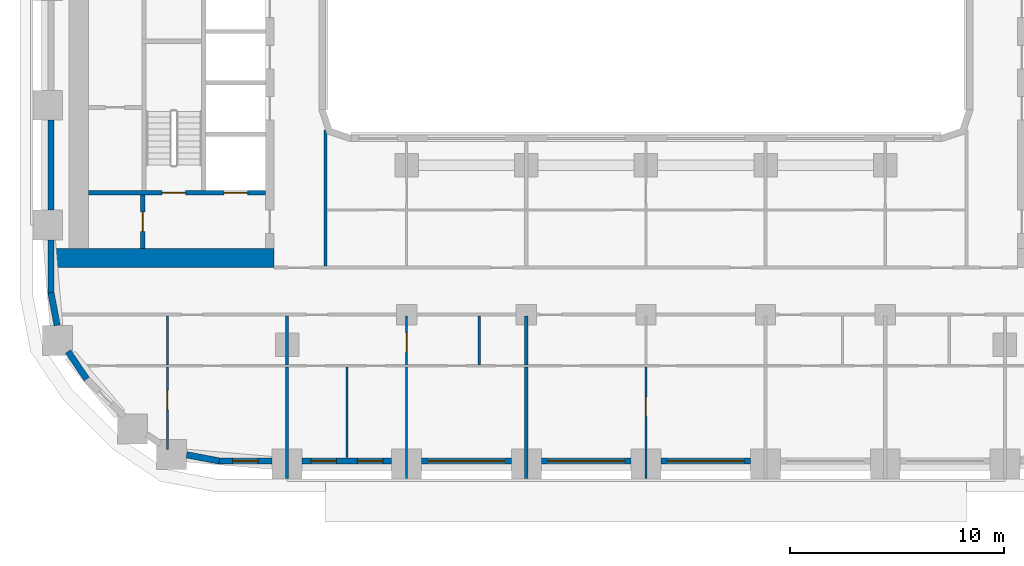
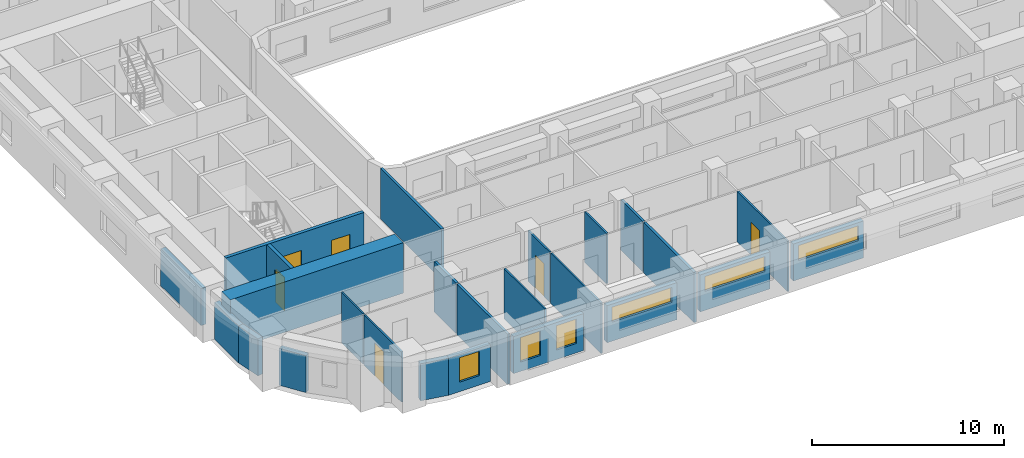
# One storey, part 2 of 22: 25 walls, 6 doors, 6 windows, 12 openings.
"""IFC4 building model written with IfcOpenShell, lengths in metres."""

import ifcopenshell
import ifcopenshell.guid

model = None  # the IFC model being written
_history = None  # IfcOwnerHistory: only IFC2X3 demands one
_inside = {}  # id of a spatial element -> (the spatial element, [elements in it])
_under = {}  # id of a project, library or spatial element -> (it, [spatial elements below it])
_declared = {}  # id of a project -> (the project, [libraries it declares])
_typed = {}  # id of a type object -> (the type object, [elements of that type])
_made_of = {}  # id of a material, layer set ... -> (it, [elements and type objects made of it])


def new_model(schema):
    """Start an empty IFC model of exactly this schema.

    Asked for "IFC4X3", IfcOpenShell would pick the latest addendum, in which some entities
    have other attributes; the version numbers below select the first issue.
    IFC2X3 requires an IfcOwnerHistory on every rooted entity: one is made here for all.
    """
    global model, _history
    if schema == "IFC4X3":
        model = ifcopenshell.file(schema_version=(4, 3, 0, 0))
    else:
        model = ifcopenshell.file(schema=schema)
    _inside.clear()
    _under.clear()
    _declared.clear()
    _typed.clear()
    _made_of.clear()
    _history = None
    if model.schema == "IFC2X3":
        org = make("IfcOrganization", Name="unknown")
        user = make(
            "IfcPersonAndOrganization",
            ThePerson=make("IfcPerson", FamilyName="unknown"),
            TheOrganization=org,
        )
        app = make(
            "IfcApplication",
            ApplicationDeveloper=org,
            Version="unknown",
            ApplicationFullName="unknown",
            ApplicationIdentifier="unknown",
        )
        _history = make(
            "IfcOwnerHistory",
            OwningUser=user,
            OwningApplication=app,
            ChangeAction="ADDED",
            CreationDate=0,
        )
    return model


def make(cls, **values):
    """One entity of the class cls with the attributes given. An attribute that is None is left unset."""
    return model.create_entity(
        cls, **{name: value for name, value in values.items() if value is not None}
    )


def rooted(cls, **values):
    """An entity with a GlobalId (a new one), such as an element, a storey or a relation."""
    return make(cls, GlobalId=ifcopenshell.guid.new(), OwnerHistory=_history, **values)


def si_unit(unit_type, name, prefix=None):
    """IfcSIUnit, for example si_unit("LENGTHUNIT", "METRE", prefix="MILLI")."""
    return make("IfcSIUnit", UnitType=unit_type, Prefix=prefix, Name=name)


def assignment(units):
    """IfcUnitAssignment: the units of a project."""
    return None if units is None else make("IfcUnitAssignment", Units=units)


def point(xyz):
    """IfcCartesianPoint."""
    return None if xyz is None else make("IfcCartesianPoint", Coordinates=xyz)


def direction(xyz):
    """IfcDirection."""
    return None if xyz is None else make("IfcDirection", DirectionRatios=xyz)


def frame(location, z_axis=None, x_axis=None):
    """IfcAxis2Placement3D, a coordinate frame: its origin and axes. An axis left out is left unset."""
    return make(
        "IfcAxis2Placement3D",
        Location=point(location),
        Axis=direction(z_axis),
        RefDirection=direction(x_axis),
    )


def frame_2d(location, x_axis=None):
    """IfcAxis2Placement2D, a coordinate frame in the plane: its origin and x axis."""
    return make(
        "IfcAxis2Placement2D", Location=point(location), RefDirection=direction(x_axis)
    )


def origin():
    """The frame at (0, 0, 0) with its axes left unset."""
    return frame((0.0, 0.0, 0.0))


def place(relative_to, where):
    """IfcLocalPlacement: puts the frame where relative to a parent placement (None: the world)."""
    return make(
        "IfcLocalPlacement", PlacementRelTo=relative_to, RelativePlacement=where
    )


def context(
    kind, dimensions, precision=None, world=None, true_north=None, identifier=None
):
    """IfcGeometricRepresentationContext, for example the 3D "Model" context."""
    return make(
        "IfcGeometricRepresentationContext",
        ContextIdentifier=identifier,
        ContextType=kind,
        CoordinateSpaceDimension=dimensions,
        Precision=precision,
        WorldCoordinateSystem=world,
        TrueNorth=true_north,
    )


def subcontext(parent, identifier, kind, view, scale=None):
    """IfcGeometricRepresentationSubContext, for example "Body" below "Model"."""
    return make(
        "IfcGeometricRepresentationSubContext",
        ContextIdentifier=identifier,
        ContextType=kind,
        ParentContext=parent,
        TargetScale=scale,
        TargetView=view,
    )


def project(units=None, contexts=None):
    """IfcProject with its units and contexts."""
    return rooted(
        "IfcProject",
        Name="project",
        RepresentationContexts=contexts,
        UnitsInContext=assignment(units),
    )


def spatial(cls, under=None, at=None, **own):
    """A site, building, storey or space (cls), placed at a placement, below another one or the project."""
    s = rooted(cls, ObjectPlacement=at, **own)
    if under is not None:
        _under.setdefault(under.id(), (under, []))[1].append(s)
    return s


def profile(cls, at=None, kind="AREA", **sizes):
    """A parametric profile (cls). Its sizes go by their IFC names, for example OverallWidth=200.0."""
    return make(cls, ProfileType=kind, Position=at, **sizes)


def rectangle(**sizes):
    """IfcRectangleProfileDef."""
    return profile("IfcRectangleProfileDef", **sizes)


def extrude(swept, where, along, depth):
    """IfcExtrudedAreaSolid: the profile swept, set in the frame where, extruded along a direction by depth."""
    return make(
        "IfcExtrudedAreaSolid",
        SweptArea=swept,
        Position=where,
        ExtrudedDirection=direction(along),
        Depth=depth,
    )


def shape(context_of_items, identifier, shape_type, items):
    """IfcShapeRepresentation: the items that make up one representation, for example the "Body"."""
    return make(
        "IfcShapeRepresentation",
        ContextOfItems=context_of_items,
        RepresentationIdentifier=identifier,
        RepresentationType=shape_type,
        Items=items,
    )


def material(Name=None, Category=None):
    """IfcMaterial."""
    return make("IfcMaterial", Name=Name, Category=Category)


def layer(
    of_material, thickness, ventilated=None, Name=None, Category=None, Priority=None
):
    """IfcMaterialLayer: one layer of a wall or slab, of a material (None: an air gap)."""
    return make(
        "IfcMaterialLayer",
        Material=of_material,
        LayerThickness=thickness,
        IsVentilated=ventilated,
        Name=Name,
        Category=Category,
        Priority=Priority,
    )


def layer_set(layers, Name=None):
    """IfcMaterialLayerSet."""
    return make("IfcMaterialLayerSet", MaterialLayers=layers, LayerSetName=Name)


def made_of(thing, what):
    """Note that an element or type object is made of a material, layer set ...; save() writes the relation."""
    if what is not None:
        _made_of.setdefault(what.id(), (what, []))[1].append(thing)
    return thing


def type_object(cls, material=None, **own):
    """A type object (cls), such as IfcWallType, which elements share."""
    return made_of(rooted(cls, **own), material)


def element(
    cls,
    number,
    at=None,
    inside=None,
    cuts=None,
    type_object=None,
    material=None,
    context=None,
    identifier="Body",
    shape_type=None,
    held_by="IfcProductDefinitionShape",
    body=None,
    shapes=None,
    **own,
):
    """One element of the class cls, such as IfcWall. Its Tag is "e" and its number.

    at: its placement. inside: the storey or other place that contains it. cuts: it is an
    opening in that element (IfcRelVoidsElement). A single representation is given by context,
    identifier, shape_type and body (its items); several are given by shapes. held_by: the class
    of the entity that holds the representations. save() writes the other relations.
    """
    e = rooted(cls, Tag="e%d" % number, ObjectPlacement=at, **own)
    if body is not None:
        shapes = [shape(context, identifier, shape_type, body)]
    if shapes is not None:
        e.Representation = make(held_by, Representations=shapes)
    if inside is not None:
        _inside.setdefault(inside.id(), (inside, []))[1].append(e)
    if cuts is not None:
        rooted(
            "IfcRelVoidsElement", RelatingBuildingElement=cuts, RelatedOpeningElement=e
        )
    if type_object is not None:
        _typed.setdefault(type_object.id(), (type_object, []))[1].append(e)
    return made_of(e, material)


def fill(opening, filler):
    """IfcRelFillsElement: the door or window that sits in an opening."""
    return rooted(
        "IfcRelFillsElement",
        RelatingOpeningElement=opening,
        RelatedBuildingElement=filler,
    )


def aggregate(whole, parts):
    """IfcRelAggregates: a whole, such as a stair, and the parts it consists of."""
    return rooted("IfcRelAggregates", RelatingObject=whole, RelatedObjects=parts)


def save(model, path):
    """Write the relations noted so far, then the file.

    IfcRelAggregates (storeys below a building ...), IfcRelContainedInSpatialStructure (elements
    in a storey), IfcRelDefinesByType, IfcRelAssociatesMaterial and IfcRelDeclares: one each for
    every whole, place, type object, material and project.
    """
    for whole, parts in _under.values():
        aggregate(whole, parts)
    for where, things in _inside.values():
        rooted(
            "IfcRelContainedInSpatialStructure",
            RelatedElements=things,
            RelatingStructure=where,
        )
    for kind, things in _typed.values():
        rooted("IfcRelDefinesByType", RelatedObjects=things, RelatingType=kind)
    for what, things in _made_of.values():
        rooted("IfcRelAssociatesMaterial", RelatedObjects=things, RelatingMaterial=what)
    for by, libraries in _declared.values():
        rooted("IfcRelDeclares", RelatingContext=by, RelatedDefinitions=libraries)
    model.write(path)


model = new_model("IFC4")

# Units and contexts
model_context = context("Model", 3, precision=1e-05, world=origin(), true_north=direction((0.0, 1.0)))
body_context = subcontext(model_context, "Body", "Model", "MODEL_VIEW")
ifc_project = project(units=[si_unit("LENGTHUNIT", "METRE"), si_unit("AREAUNIT", "SQUARE_METRE"), si_unit("VOLUMEUNIT", "CUBIC_METRE"), si_unit("PLANEANGLEUNIT", "RADIAN"), si_unit("MASSUNIT", "GRAM", prefix="KILO")], contexts=[model_context])

# Site, building, storey
site_placement = place(None, origin())
site = spatial("IfcSite", under=ifc_project, at=site_placement, CompositionType="ELEMENT")
building_placement = place(site_placement, origin())
building = spatial("IfcBuilding", under=site, at=building_placement, Name="Kiln Ring Residences", CompositionType="ELEMENT")
storey_placement = place(building_placement, frame((0.0, 0.0, 58.5)))
storey = spatial("IfcBuildingStorey", under=building, at=storey_placement, Name="L14", CompositionType="ELEMENT", Elevation=58.5)

# Wall, opening, door
ifc_material_1 = material(Name="Gypsum board on steel studs", Category="steel")
ifc_layer_1 = layer(ifc_material_1, 0.199951171875)
ifc_layer_set_1 = layer_set([ifc_layer_1], Name="CORE-PARTITION-200")
wall_type_1 = type_object("IfcWallType", Name="CORE-PARTITION-200", PredefinedType="PARTITIONING", material=ifc_layer_set_1)
wall_1_placement = place(storey_placement, frame((-23.550048828125, -12.300048828125, 0.0), z_axis=(0.0, 0.0, 1.0), x_axis=(0.0, 1.0, 0.0)))
wall_1 = element("IfcWall", 1, at=wall_1_placement, inside=storey, type_object=wall_type_1, Name="Core partition west L14 4", PredefinedType="PARTITIONING", context=body_context, shape_type="SweptSolid", body=[
    extrude(rectangle(XDim=2.5, YDim=0.199951171875, at=frame_2d((1.25, 0.0))), origin(), (0.0, 0.0, 1.0), 3.199951171875),
])
opening_1_placement = place(wall_1_placement, frame((0.800048828125, 0.0, 0.0)))
opening_1 = element("IfcOpeningElement", 2, at=opening_1_placement, cuts=wall_1, Name="Opening L14-CW10", PredefinedType="OPENING", context=body_context, shape_type="SweptSolid", body=[
    extrude(rectangle(XDim=0.89990234375, YDim=2.10009765625, at=frame_2d((0.449951171875, 1.050048828125))), frame((0.0, 0.10986328125, 0.0), z_axis=(0.0, -1.0, 0.0), x_axis=(1.0, 0.0, 0.0)), (0.0, 0.0, 1.0), 0.219970703125),
])
ifc_material_2 = material(Name="Steel door leaf", Category="steel")
door_type_1 = type_object("IfcDoorType", Name="CORE-DOOR-ROOM", OperationType="SINGLE_SWING_LEFT", PredefinedType="DOOR", material=ifc_material_2)
door_1_placement = place(opening_1_placement, origin())
door_1 = element("IfcDoor", 3, at=door_1_placement, inside=storey, type_object=door_type_1, Name="Store L14-CW10", OperationType="SINGLE_SWING_RIGHT", OverallHeight=2.10009765625, OverallWidth=0.89990234375, PredefinedType="DOOR", context=body_context, shape_type="SweptSolid", body=[
    extrude(rectangle(XDim=0.89990234375, YDim=2.10009765625, at=frame_2d((0.449951171875, 1.050048828125))), frame((0.0, 0.02490234375, 0.0), z_axis=(0.0, -1.0, 0.0), x_axis=(1.0, 0.0, 0.0)), (0.0, 0.0, 1.0), 0.050048828125),
])
fill(opening_1, door_1)

# Wall, openings, doors
ifc_material_3 = material(Name="Concrete C40/50", Category="concrete")
ifc_layer_2 = layer(ifc_material_3, 0.199951171875)
ifc_layer_set_2 = layer_set([ifc_layer_2], Name="CORE-WALL-RC200")
wall_type_2 = type_object("IfcWallType", Name="CORE-WALL-RC200", PredefinedType="SHEAR", material=ifc_layer_set_2)
wall_2_placement = place(storey_placement, frame((-17.800048828125, -9.699951171875, 0.0), z_axis=(0.0, 0.0, 1.0), x_axis=(-1.0, 0.0, 0.0)))
wall_2 = element("IfcWall", 4, at=wall_2_placement, inside=storey, type_object=wall_type_2, Name="Core wall west L14 8", PredefinedType="SHEAR", context=body_context, shape_type="SweptSolid", body=[
    extrude(rectangle(XDim=8.300048828125, YDim=0.199951171875, at=frame_2d((4.14990234375, 0.0))), origin(), (0.0, 0.0, 1.0), 3.199951171875),
])
opening_2_placement = place(wall_2_placement, frame((0.85009765625, 0.0, 0.0)))
opening_2 = element("IfcOpeningElement", 5, at=opening_2_placement, cuts=wall_2, Name="Opening L14-CW01", PredefinedType="OPENING", context=body_context, shape_type="SweptSolid", body=[
    extrude(rectangle(XDim=1.10009765625, YDim=2.10009765625, at=frame_2d((0.550048828125, 1.050048828125))), frame((0.0, 0.10986328125, 0.0), z_axis=(0.0, -1.0, 0.0), x_axis=(1.0, 0.0, 0.0)), (0.0, 0.0, 1.0), 0.219970703125),
])
opening_3_placement = place(wall_2_placement, frame((3.75, 0.0, 0.0)))
opening_3 = element("IfcOpeningElement", 6, at=opening_3_placement, cuts=wall_2, Name="Opening L14-CW12", PredefinedType="OPENING", context=body_context, shape_type="SweptSolid", body=[
    extrude(rectangle(XDim=1.10009765625, YDim=2.10009765625, at=frame_2d((0.550048828125, 1.050048828125))), frame((0.0, 0.10986328125, 0.0), z_axis=(0.0, -1.0, 0.0), x_axis=(1.0, 0.0, 0.0)), (0.0, 0.0, 1.0), 0.219970703125),
])
ifc_material_4 = material(Name="Steel door leaf", Category="steel")
door_type_2 = type_object("IfcDoorType", Name="CORE-DOOR-LD", OperationType="DOUBLE_DOOR_SLIDING", PredefinedType="DOOR", material=ifc_material_4)
door_2_placement = place(opening_2_placement, origin())
door_2 = element("IfcDoor", 7, at=door_2_placement, inside=storey, type_object=door_type_2, Name="LD W-SV L14-CW01", OperationType="DOUBLE_DOOR_SLIDING", OverallHeight=2.10009765625, OverallWidth=1.10009765625, PredefinedType="DOOR", context=body_context, shape_type="SweptSolid", body=[
    extrude(rectangle(XDim=1.10009765625, YDim=2.10009765625, at=frame_2d((0.550048828125, 1.050048828125))), frame((0.0, 0.02490234375, 0.0), z_axis=(0.0, -1.0, 0.0), x_axis=(1.0, 0.0, 0.0)), (0.0, 0.0, 1.0), 0.050048828125),
])
fill(opening_2, door_2)
ifc_material_5 = material(Name="Steel door leaf", Category="steel")
door_type_3 = type_object("IfcDoorType", Name="CORE-DOOR-STAIR", OperationType="SINGLE_SWING_LEFT", PredefinedType="DOOR", material=ifc_material_5)
door_3_placement = place(opening_3_placement, origin())
door_3 = element("IfcDoor", 8, at=door_3_placement, inside=storey, type_object=door_type_3, Name="Stair W-STS L14-CW12", OperationType="SINGLE_SWING_LEFT", OverallHeight=2.10009765625, OverallWidth=1.10009765625, PredefinedType="DOOR", context=body_context, shape_type="SweptSolid", body=[
    extrude(rectangle(XDim=1.10009765625, YDim=2.10009765625, at=frame_2d((0.550048828125, 1.050048828125))), frame((0.0, 0.02490234375, 0.0), z_axis=(0.0, -1.0, 0.0), x_axis=(1.0, 0.0, 0.0)), (0.0, 0.0, 1.0), 0.050048828125),
])
fill(opening_3, door_3)

# Walls
ifc_material_6 = material(Name="Concrete C60/75", Category="concrete")
ifc_layer_3 = layer(ifc_material_6, 0.89990234375)
ifc_layer_set_3 = layer_set([ifc_layer_3], Name="CORE-WALL-RC900")
wall_type_3 = type_object("IfcWallType", Name="CORE-WALL-RC900", PredefinedType="SHEAR", material=ifc_layer_set_3)
wall_3_placement = place(storey_placement, frame((-17.39990234375, -12.75, 0.0), z_axis=(0.0, 0.0, 1.0), x_axis=(-1.0, 0.0, 0.0)))
element("IfcWall", 9, at=wall_3_placement, inside=storey, type_object=wall_type_3, Name="Core wall west L14 5", PredefinedType="SHEAR", context=body_context, shape_type="SweptSolid", body=[
    extrude(rectangle(XDim=10.400146484375, YDim=0.89990234375, at=frame_2d((5.2001953125, 0.0))), origin(), (0.0, 0.0, 1.0), 3.199951171875),
])
ifc_material_7 = material(Name="Brick masonry, dark clay brick", Category="masonry")
ifc_layer_4 = layer(ifc_material_7, 0.300048828125)
ifc_layer_set_4 = layer_set([ifc_layer_4], Name="EW-300 BRICK WALL")
wall_type_4 = type_object("IfcWallType", Name="EW-300 BRICK WALL", PredefinedType="SOLIDWALL", material=ifc_layer_set_4)
wall_4_placement = place(storey_placement, frame((-21.50048828125, -21.961181640625, 0.0), z_axis=(0.0, 0.0, 1.0), x_axis=(0.982297345734, -0.187328386968, 0.0)))
element("IfcWall", 10, at=wall_4_placement, inside=storey, type_object=wall_type_4, Name="Facade wall L14 3", PredefinedType="SOLIDWALL", context=body_context, shape_type="SweptSolid", body=[
    extrude(rectangle(XDim=1.55615234375, YDim=0.300048828125, at=frame_2d((0.778076171875, 0.0))), origin(), (0.0, 0.0, 1.0), 2.35009765625),
])

# Wall, opening, window
wall_5_placement = place(storey_placement, frame((-20.0, -22.25, 0.0), z_axis=(0.0, 0.0, 1.0), x_axis=(1.0, 0.0, 0.0)))
wall_5 = element("IfcWall", 11, at=wall_5_placement, inside=storey, type_object=wall_type_4, Name="Facade wall L14 4", PredefinedType="SOLIDWALL", context=body_context, shape_type="SweptSolid", body=[
    extrude(rectangle(XDim=2.5, YDim=0.300048828125, at=frame_2d((1.25, 0.0))), origin(), (0.0, 0.0, 1.0), 2.35009765625),
])
opening_4_placement = place(wall_5_placement, frame((0.64990234375, 0.0, 0.60009765625)))
opening_4 = element("IfcOpeningElement", 12, at=opening_4_placement, cuts=wall_5, Name="Opening W1", PredefinedType="OPENING", context=body_context, shape_type="SweptSolid", body=[
    extrude(rectangle(XDim=1.199951171875, YDim=1.550048828125, at=frame_2d((0.60009765625, 0.77490234375))), frame((0.0, 0.159912109375, 0.0), z_axis=(0.0, -1.0, 0.0), x_axis=(1.0, 0.0, 0.0)), (0.0, 0.0, 1.0), 0.320068359375),
])
ifc_material_8 = material(Name="Aluminium frame with double glazing", Category="aluminium")
window_type_1 = type_object("IfcWindowType", Name="WINDOW 1200 x 1550", PartitioningType="SINGLE_PANEL", PredefinedType="WINDOW", material=ifc_material_8)
window_1_placement = place(opening_4_placement, origin())
window_1 = element("IfcWindow", 13, at=window_1_placement, inside=storey, type_object=window_type_1, Name="Window L14 2", OverallHeight=1.550048828125, OverallWidth=1.199951171875, PartitioningType="SINGLE_PANEL", PredefinedType="WINDOW", context=body_context, shape_type="SweptSolid", body=[
    extrude(rectangle(XDim=1.199951171875, YDim=1.550048828125, at=frame_2d((0.60009765625, 0.77490234375))), frame((0.0, 0.030029296875, 0.0), z_axis=(0.0, -1.0, 0.0), x_axis=(1.0, 0.0, 0.0)), (0.0, 0.0, 1.0), 0.06005859375),
])
fill(opening_4, window_1)

# Wall, openings, windows
wall_6_placement = place(storey_placement, frame((-16.10009765625, -22.25, 0.0), z_axis=(0.0, 0.0, 1.0), x_axis=(1.0, 0.0, 0.0)))
wall_6 = element("IfcWall", 14, at=wall_6_placement, inside=storey, type_object=wall_type_4, Name="Facade wall L14 5", PredefinedType="SOLIDWALL", context=body_context, shape_type="SweptSolid", body=[
    extrude(rectangle(XDim=4.2001953125, YDim=0.300048828125, at=frame_2d((2.10009765625, 0.0))), origin(), (0.0, 0.0, 1.0), 2.35009765625),
])
opening_5_placement = place(wall_6_placement, frame((0.41259765625, 0.0, 0.60009765625)))
opening_5 = element("IfcOpeningElement", 15, at=opening_5_placement, cuts=wall_6, Name="Opening W1", PredefinedType="OPENING", context=body_context, shape_type="SweptSolid", body=[
    extrude(rectangle(XDim=1.199951171875, YDim=1.550048828125, at=frame_2d((0.60009765625, 0.77490234375))), frame((0.0, 0.159912109375, 0.0), z_axis=(0.0, -1.0, 0.0), x_axis=(1.0, 0.0, 0.0)), (0.0, 0.0, 1.0), 0.320068359375),
])
opening_6_placement = place(wall_6_placement, frame((2.58740234375, 0.0, 0.60009765625)))
opening_6 = element("IfcOpeningElement", 16, at=opening_6_placement, cuts=wall_6, Name="Opening W1", PredefinedType="OPENING", context=body_context, shape_type="SweptSolid", body=[
    extrude(rectangle(XDim=1.199951171875, YDim=1.550048828125, at=frame_2d((0.60009765625, 0.77490234375))), frame((0.0, 0.159912109375, 0.0), z_axis=(0.0, -1.0, 0.0), x_axis=(1.0, 0.0, 0.0)), (0.0, 0.0, 1.0), 0.320068359375),
])
window_2_placement = place(opening_5_placement, origin())
window_2 = element("IfcWindow", 17, at=window_2_placement, inside=storey, type_object=window_type_1, Name="Window L14 3", OverallHeight=1.550048828125, OverallWidth=1.199951171875, PartitioningType="SINGLE_PANEL", PredefinedType="WINDOW", context=body_context, shape_type="SweptSolid", body=[
    extrude(rectangle(XDim=1.199951171875, YDim=1.550048828125, at=frame_2d((0.60009765625, 0.77490234375))), frame((0.0, 0.030029296875, 0.0), z_axis=(0.0, -1.0, 0.0), x_axis=(1.0, 0.0, 0.0)), (0.0, 0.0, 1.0), 0.06005859375),
])
fill(opening_5, window_2)
window_3_placement = place(opening_6_placement, origin())
window_3 = element("IfcWindow", 18, at=window_3_placement, inside=storey, type_object=window_type_1, Name="Window L14 4", OverallHeight=1.550048828125, OverallWidth=1.199951171875, PartitioningType="SINGLE_PANEL", PredefinedType="WINDOW", context=body_context, shape_type="SweptSolid", body=[
    extrude(rectangle(XDim=1.199951171875, YDim=1.550048828125, at=frame_2d((0.60009765625, 0.77490234375))), frame((0.0, 0.030029296875, 0.0), z_axis=(0.0, -1.0, 0.0), x_axis=(1.0, 0.0, 0.0)), (0.0, 0.0, 1.0), 0.06005859375),
])
fill(opening_6, window_3)

# Wall, opening, window
wall_7_placement = place(storey_placement, frame((-10.5, -22.25, 0.0), z_axis=(0.0, 0.0, 1.0), x_axis=(1.0, 0.0, 0.0)))
wall_7 = element("IfcWall", 19, at=wall_7_placement, inside=storey, type_object=wall_type_4, Name="Facade wall L14 6", PredefinedType="SOLIDWALL", context=body_context, shape_type="SweptSolid", body=[
    extrude(rectangle(XDim=4.199951171875, YDim=0.300048828125, at=frame_2d((2.10009765625, 0.0))), origin(), (0.0, 0.0, 1.0), 2.35009765625),
])
opening_7_placement = place(wall_7_placement, frame((0.300048828125, 0.0, 1.199951171875)))
opening_7 = element("IfcOpeningElement", 20, at=opening_7_placement, cuts=wall_7, Name="Opening W4", PredefinedType="OPENING", context=body_context, shape_type="SweptSolid", body=[
    extrude(rectangle(XDim=3.60009765625, YDim=0.949951171875, at=frame_2d((1.800048828125, 0.47509765625))), frame((0.0, 0.159912109375, 0.0), z_axis=(0.0, -1.0, 0.0), x_axis=(1.0, 0.0, 0.0)), (0.0, 0.0, 1.0), 0.320068359375),
])
ifc_material_9 = material(Name="Aluminium frame with double glazing", Category="aluminium")
window_type_2 = type_object("IfcWindowType", Name="WINDOW 3600 x 950", PartitioningType="SINGLE_PANEL", PredefinedType="WINDOW", material=ifc_material_9)
window_4_placement = place(opening_7_placement, origin())
window_4 = element("IfcWindow", 21, at=window_4_placement, inside=storey, type_object=window_type_2, Name="Window L14 5", OverallHeight=0.949951171875, OverallWidth=3.60009765625, PartitioningType="SINGLE_PANEL", PredefinedType="WINDOW", context=body_context, shape_type="SweptSolid", body=[
    extrude(rectangle(XDim=3.60009765625, YDim=0.949951171875, at=frame_2d((1.800048828125, 0.47509765625))), frame((0.0, 0.030029296875, 0.0), z_axis=(0.0, -1.0, 0.0), x_axis=(1.0, 0.0, 0.0)), (0.0, 0.0, 1.0), 0.06005859375),
])
fill(opening_7, window_4)

wall_8_placement = place(storey_placement, frame((-4.89990234375, -22.25, 0.0), z_axis=(0.0, 0.0, 1.0), x_axis=(1.0, 0.0, 0.0)))
wall_8 = element("IfcWall", 22, at=wall_8_placement, inside=storey, type_object=wall_type_4, Name="Facade wall L14 7", PredefinedType="SOLIDWALL", context=body_context, shape_type="SweptSolid", body=[
    extrude(rectangle(XDim=4.199951171875, YDim=0.300048828125, at=frame_2d((2.10009765625, 0.0))), origin(), (0.0, 0.0, 1.0), 2.35009765625),
])
opening_8_placement = place(wall_8_placement, frame((0.300048828125, 0.0, 1.199951171875)))
opening_8 = element("IfcOpeningElement", 23, at=opening_8_placement, cuts=wall_8, Name="Opening W4", PredefinedType="OPENING", context=body_context, shape_type="SweptSolid", body=[
    extrude(rectangle(XDim=3.60009765625, YDim=0.949951171875, at=frame_2d((1.800048828125, 0.47509765625))), frame((0.0, 0.159912109375, 0.0), z_axis=(0.0, -1.0, 0.0), x_axis=(1.0, 0.0, 0.0)), (0.0, 0.0, 1.0), 0.320068359375),
])
window_5_placement = place(opening_8_placement, origin())
window_5 = element("IfcWindow", 24, at=window_5_placement, inside=storey, type_object=window_type_2, Name="Window L14 6", OverallHeight=0.949951171875, OverallWidth=3.60009765625, PartitioningType="SINGLE_PANEL", PredefinedType="WINDOW", context=body_context, shape_type="SweptSolid", body=[
    extrude(rectangle(XDim=3.60009765625, YDim=0.949951171875, at=frame_2d((1.800048828125, 0.47509765625))), frame((0.0, 0.030029296875, 0.0), z_axis=(0.0, -1.0, 0.0), x_axis=(1.0, 0.0, 0.0)), (0.0, 0.0, 1.0), 0.06005859375),
])
fill(opening_8, window_5)

wall_9_placement = place(storey_placement, frame((0.699951171875, -22.25, 0.0), z_axis=(0.0, 0.0, 1.0), x_axis=(1.0, 0.0, 0.0)))
wall_9 = element("IfcWall", 25, at=wall_9_placement, inside=storey, type_object=wall_type_4, Name="Facade wall L14 8", PredefinedType="SOLIDWALL", context=body_context, shape_type="SweptSolid", body=[
    extrude(rectangle(XDim=4.199951171875, YDim=0.300048828125, at=frame_2d((2.10009765625, 0.0))), origin(), (0.0, 0.0, 1.0), 2.35009765625),
])
opening_9_placement = place(wall_9_placement, frame((0.300048828125, 0.0, 1.199951171875)))
opening_9 = element("IfcOpeningElement", 26, at=opening_9_placement, cuts=wall_9, Name="Opening W4", PredefinedType="OPENING", context=body_context, shape_type="SweptSolid", body=[
    extrude(rectangle(XDim=3.60009765625, YDim=0.949951171875, at=frame_2d((1.800048828125, 0.47509765625))), frame((0.0, 0.159912109375, 0.0), z_axis=(0.0, -1.0, 0.0), x_axis=(1.0, 0.0, 0.0)), (0.0, 0.0, 1.0), 0.320068359375),
])
window_6_placement = place(opening_9_placement, origin())
window_6 = element("IfcWindow", 27, at=window_6_placement, inside=storey, type_object=window_type_2, Name="Window L14 7", OverallHeight=0.949951171875, OverallWidth=3.60009765625, PartitioningType="SINGLE_PANEL", PredefinedType="WINDOW", context=body_context, shape_type="SweptSolid", body=[
    extrude(rectangle(XDim=3.60009765625, YDim=0.949951171875, at=frame_2d((1.800048828125, 0.47509765625))), frame((0.0, 0.030029296875, 0.0), z_axis=(0.0, -1.0, 0.0), x_axis=(1.0, 0.0, 0.0)), (0.0, 0.0, 1.0), 0.06005859375),
])
fill(opening_9, window_6)

# Walls
wall_10_placement = place(storey_placement, frame((-27.85009765625, -6.300048828125, 0.0), z_axis=(0.0, 0.0, 1.0), x_axis=(0.0, -1.0, 0.0)))
element("IfcWall", 28, at=wall_10_placement, inside=storey, type_object=wall_type_4, Name="Facade wall L14 45", PredefinedType="SOLIDWALL", context=body_context, shape_type="SweptSolid", body=[
    extrude(rectangle(XDim=4.199951171875, YDim=0.300048828125, at=frame_2d((2.10009765625, 0.0))), origin(), (0.0, 0.0, 1.0), 2.35009765625),
])
wall_11_placement = place(storey_placement, frame((-27.85009765625, -11.89990234375, 0.0), z_axis=(0.0, 0.0, 1.0), x_axis=(0.0, -1.0, 0.0)))
element("IfcWall", 29, at=wall_11_placement, inside=storey, type_object=wall_type_4, Name="Facade wall L14 46", PredefinedType="SOLIDWALL", context=body_context, shape_type="SweptSolid", body=[
    extrude(rectangle(XDim=2.5, YDim=0.300048828125, at=frame_2d((1.25, 0.0))), origin(), (0.0, 0.0, 1.0), 2.35009765625),
])
for number, where, z_axis, x_axis, name in (
    (30, (-27.8525390625, -14.371826171875, 0.0), (0.0, 0.0, 1.0), (0.187328386968, -0.982297345734, 0.0), "Facade wall L14 47"),
    (31, (-27.053466796875, -17.125732421875, 0.0), (0.0, 0.0, 1.0), (0.56199241657, -0.827142384187, 0.0), "Facade wall L14 48"),
):
    element("IfcWall", number, at=place(storey_placement, frame(where, z_axis=z_axis, x_axis=x_axis)), inside=storey, type_object=wall_type_4, Name=name, PredefinedType="SOLIDWALL", context=body_context, shape_type="SweptSolid", body=[
        extrude(rectangle(XDim=1.55615234375, YDim=0.300048828125, at=frame_2d((0.778076171875, 0.0))), origin(), (0.0, 0.0, 1.0), 2.35009765625),
    ])

# Wall, opening, door
ifc_material_10 = material(Name="Gypsum board on steel studs", Category="steel")
ifc_layer_5 = layer(ifc_material_10, 0.10009765625)
ifc_layer_set_5 = layer_set([ifc_layer_5], Name="PARTITION-100")
wall_type_5 = type_object("IfcWallType", Name="PARTITION-100", PredefinedType="PARTITIONING", material=ifc_layer_set_5)
wall_12_placement = place(storey_placement, frame((-22.39990234375, -21.719970703125, 0.0), z_axis=(0.0, 0.0, 1.0), x_axis=(0.0, 1.0, 0.0)))
wall_12 = element("IfcWall", 32, at=wall_12_placement, inside=storey, type_object=wall_type_5, Name="Partition 008", PredefinedType="PARTITIONING", context=body_context, shape_type="SweptSolid", body=[
    extrude(rectangle(XDim=3.869873046875, YDim=0.10009765625, at=frame_2d((1.93505859375, 0.0))), origin(), (0.0, 0.0, 1.0), 3.199951171875),
])
opening_10_placement = place(wall_12_placement, frame((1.8701171875, 0.0, 0.0)))
opening_10 = element("IfcOpeningElement", 33, at=opening_10_placement, cuts=wall_12, Name="Opening L14-D056", PredefinedType="OPENING", context=body_context, shape_type="SweptSolid", body=[
    extrude(rectangle(XDim=0.89990234375, YDim=2.10009765625, at=frame_2d((0.449951171875, 1.050048828125))), frame((0.0, 0.06005859375, 0.0), z_axis=(0.0, -1.0, 0.0), x_axis=(1.0, 0.0, 0.0)), (0.0, 0.0, 1.0), 0.1201171875),
])
ifc_material_11 = material(Name="Timber door leaf", Category="wood")
door_type_4 = type_object("IfcDoorType", Name="FLAT-DOOR-900-PL", OperationType="SINGLE_SWING_LEFT", PredefinedType="DOOR", material=ifc_material_11)
door_4_placement = place(opening_10_placement, origin())
door_4 = element("IfcDoor", 34, at=door_4_placement, inside=storey, type_object=door_type_4, Name="Door L14-D056", OperationType="SINGLE_SWING_LEFT", OverallHeight=2.10009765625, OverallWidth=0.89990234375, PredefinedType="DOOR", context=body_context, shape_type="SweptSolid", body=[
    extrude(rectangle(XDim=0.89990234375, YDim=2.10009765625, at=frame_2d((0.449951171875, 1.050048828125))), frame((0.0, 0.02490234375, 0.0), z_axis=(0.0, -1.0, 0.0), x_axis=(1.0, 0.0, 0.0)), (0.0, 0.0, 1.0), 0.050048828125),
])
fill(opening_10, door_4)

# Walls
wall_13_placement = place(storey_placement, frame((-22.39990234375, -17.75, 0.0), z_axis=(0.0, 0.0, 1.0), x_axis=(0.0, 1.0, 0.0)))
element("IfcWall", 35, at=wall_13_placement, inside=storey, type_object=wall_type_5, Name="Partition 009", PredefinedType="PARTITIONING", context=body_context, shape_type="SweptSolid", body=[
    extrude(rectangle(XDim=2.27490234375, YDim=0.10009765625, at=frame_2d((1.137451171875, 0.0))), origin(), (0.0, 0.0, 1.0), 3.199951171875),
])
wall_14_placement = place(storey_placement, frame((-14.0, -22.080078125, 0.0), z_axis=(0.0, 0.0, 1.0), x_axis=(0.0, 1.0, 0.0)))
element("IfcWall", 36, at=wall_14_placement, inside=storey, type_object=wall_type_5, Name="Partition 018", PredefinedType="PARTITIONING", context=body_context, shape_type="SweptSolid", body=[
    extrude(rectangle(XDim=4.22998046875, YDim=0.10009765625, at=frame_2d((2.114990234375, 0.0))), origin(), (0.0, 0.0, 1.0), 3.199951171875),
])
wall_15_placement = place(storey_placement, frame((-11.199951171875, -23.080078125, 0.0), z_axis=(0.0, 0.0, 1.0), x_axis=(0.0, 1.0, 0.0)))
element("IfcWall", 37, at=wall_15_placement, inside=storey, type_object=wall_type_5, Name="Partition 020", PredefinedType="PARTITIONING", context=body_context, shape_type="SweptSolid", body=[
    extrude(rectangle(XDim=5.22998046875, YDim=0.10009765625, at=frame_2d((2.614990234375, 0.0))), origin(), (0.0, 0.0, 1.0), 3.199951171875),
])

# Wall, opening, door
wall_16_placement = place(storey_placement, frame((-11.199951171875, -17.75, 0.0), z_axis=(0.0, 0.0, 1.0), x_axis=(0.0, 1.0, 0.0)))
wall_16 = element("IfcWall", 38, at=wall_16_placement, inside=storey, type_object=wall_type_5, Name="Partition 021", PredefinedType="PARTITIONING", context=body_context, shape_type="SweptSolid", body=[
    extrude(rectangle(XDim=2.27490234375, YDim=0.10009765625, at=frame_2d((1.137451171875, 0.0))), origin(), (0.0, 0.0, 1.0), 3.199951171875),
])
opening_11_placement = place(wall_16_placement, frame((0.60009765625, 0.0, 0.0)))
opening_11 = element("IfcOpeningElement", 39, at=opening_11_placement, cuts=wall_16, Name="Opening L14-D058", PredefinedType="OPENING", context=body_context, shape_type="SweptSolid", body=[
    extrude(rectangle(XDim=0.89990234375, YDim=2.10009765625, at=frame_2d((0.449951171875, 1.050048828125))), frame((0.0, 0.06005859375, 0.0), z_axis=(0.0, -1.0, 0.0), x_axis=(1.0, 0.0, 0.0)), (0.0, 0.0, 1.0), 0.1201171875),
])
door_5_placement = place(opening_11_placement, origin())
door_5 = element("IfcDoor", 40, at=door_5_placement, inside=storey, type_object=door_type_4, Name="Door L14-D058", OperationType="SINGLE_SWING_RIGHT", OverallHeight=2.10009765625, OverallWidth=0.89990234375, PredefinedType="DOOR", context=body_context, shape_type="SweptSolid", body=[
    extrude(rectangle(XDim=0.89990234375, YDim=2.10009765625, at=frame_2d((0.449951171875, 1.050048828125))), frame((0.0, 0.02490234375, 0.0), z_axis=(0.0, -1.0, 0.0), x_axis=(1.0, 0.0, 0.0)), (0.0, 0.0, 1.0), 0.050048828125),
])
fill(opening_11, door_5)

# Wall
wall_17_placement = place(storey_placement, frame((-7.800048828125, -17.75, 0.0), z_axis=(0.0, 0.0, 1.0), x_axis=(0.0, 1.0, 0.0)))
element("IfcWall", 41, at=wall_17_placement, inside=storey, type_object=wall_type_5, Name="Partition 028", PredefinedType="PARTITIONING", context=body_context, shape_type="SweptSolid", body=[
    extrude(rectangle(XDim=2.27490234375, YDim=0.10009765625, at=frame_2d((1.137451171875, 0.0))), origin(), (0.0, 0.0, 1.0), 3.199951171875),
])

# Wall, opening, door
wall_18_placement = place(storey_placement, frame((0.0, -23.080078125, 0.0), z_axis=(0.0, 0.0, 1.0), x_axis=(0.0, 1.0, 0.0)))
wall_18 = element("IfcWall", 42, at=wall_18_placement, inside=storey, type_object=wall_type_5, Name="Partition 038", PredefinedType="PARTITIONING", context=body_context, shape_type="SweptSolid", body=[
    extrude(rectangle(XDim=5.22998046875, YDim=0.10009765625, at=frame_2d((2.614990234375, 0.0))), origin(), (0.0, 0.0, 1.0), 3.199951171875),
])
opening_12_placement = place(wall_18_placement, frame((2.919921875, 0.0, 0.0)))
opening_12 = element("IfcOpeningElement", 43, at=opening_12_placement, cuts=wall_18, Name="Opening L14-D066", PredefinedType="OPENING", context=body_context, shape_type="SweptSolid", body=[
    extrude(rectangle(XDim=0.89990234375, YDim=2.10009765625, at=frame_2d((0.449951171875, 1.050048828125))), frame((0.0, 0.06005859375, 0.0), z_axis=(0.0, -1.0, 0.0), x_axis=(1.0, 0.0, 0.0)), (0.0, 0.0, 1.0), 0.1201171875),
])
door_6_placement = place(opening_12_placement, origin())
door_6 = element("IfcDoor", 44, at=door_6_placement, inside=storey, type_object=door_type_4, Name="Door L14-D066", OperationType="SINGLE_SWING_RIGHT", OverallHeight=2.10009765625, OverallWidth=0.89990234375, PredefinedType="DOOR", context=body_context, shape_type="SweptSolid", body=[
    extrude(rectangle(XDim=0.89990234375, YDim=2.10009765625, at=frame_2d((0.449951171875, 1.050048828125))), frame((0.0, 0.02490234375, 0.0), z_axis=(0.0, -1.0, 0.0), x_axis=(1.0, 0.0, 0.0)), (0.0, 0.0, 1.0), 0.050048828125),
])
fill(opening_12, door_6)

# Walls
ifc_material_12 = material(Name="Brick masonry partition", Category="masonry")
ifc_layer_6 = layer(ifc_material_12, 0.14990234375)
ifc_layer_set_6 = layer_set([ifc_layer_6], Name="PARTITION-150-ei60")
wall_type_6 = type_object("IfcWallType", Name="PARTITION-150-ei60", PredefinedType="PARTITIONING", material=ifc_layer_set_6)
wall_19_placement = place(storey_placement, frame((-16.800048828125, -23.080078125, 0.0), z_axis=(0.0, 0.0, 1.0), x_axis=(0.0, 1.0, 0.0)))
element("IfcWall", 45, at=wall_19_placement, inside=storey, type_object=wall_type_6, Name="Partition 012", PredefinedType="PARTITIONING", context=body_context, shape_type="SweptSolid", body=[
    extrude(rectangle(XDim=5.22998046875, YDim=0.14990234375, at=frame_2d((2.614990234375, 0.0))), origin(), (0.0, 0.0, 1.0), 3.199951171875),
])
wall_20_placement = place(storey_placement, frame((-16.800048828125, -17.75, 0.0), z_axis=(0.0, 0.0, 1.0), x_axis=(0.0, 1.0, 0.0)))
element("IfcWall", 46, at=wall_20_placement, inside=storey, type_object=wall_type_6, Name="Partition 013", PredefinedType="PARTITIONING", context=body_context, shape_type="SweptSolid", body=[
    extrude(rectangle(XDim=2.27490234375, YDim=0.14990234375, at=frame_2d((1.137451171875, 0.0))), origin(), (0.0, 0.0, 1.0), 3.199951171875),
])
wall_21_placement = place(storey_placement, frame((-15.0, -13.125, 0.0), z_axis=(0.0, 0.0, 1.0), x_axis=(0.0, 1.0, 0.0)))
element("IfcWall", 47, at=wall_21_placement, inside=storey, type_object=wall_type_6, Name="Partition 016", PredefinedType="PARTITIONING", context=body_context, shape_type="SweptSolid", body=[
    extrude(rectangle(XDim=6.356201171875, YDim=0.14990234375, at=frame_2d((3.17822265625, 0.0))), origin(), (0.0, 0.0, 1.0), 3.199951171875),
])
wall_22_placement = place(storey_placement, frame((-5.60009765625, -23.080078125, 0.0), z_axis=(0.0, 0.0, 1.0), x_axis=(0.0, 1.0, 0.0)))
element("IfcWall", 48, at=wall_22_placement, inside=storey, type_object=wall_type_6, Name="Partition 031", PredefinedType="PARTITIONING", context=body_context, shape_type="SweptSolid", body=[
    extrude(rectangle(XDim=5.22998046875, YDim=0.14990234375, at=frame_2d((2.614990234375, 0.0))), origin(), (0.0, 0.0, 1.0), 3.199951171875),
])
wall_23_placement = place(storey_placement, frame((-5.60009765625, -17.75, 0.0), z_axis=(0.0, 0.0, 1.0), x_axis=(0.0, 1.0, 0.0)))
element("IfcWall", 49, at=wall_23_placement, inside=storey, type_object=wall_type_6, Name="Partition 032", PredefinedType="PARTITIONING", context=body_context, shape_type="SweptSolid", body=[
    extrude(rectangle(XDim=2.27490234375, YDim=0.14990234375, at=frame_2d((1.137451171875, 0.0))), origin(), (0.0, 0.0, 1.0), 3.199951171875),
])

save(model, "model.ifc")
